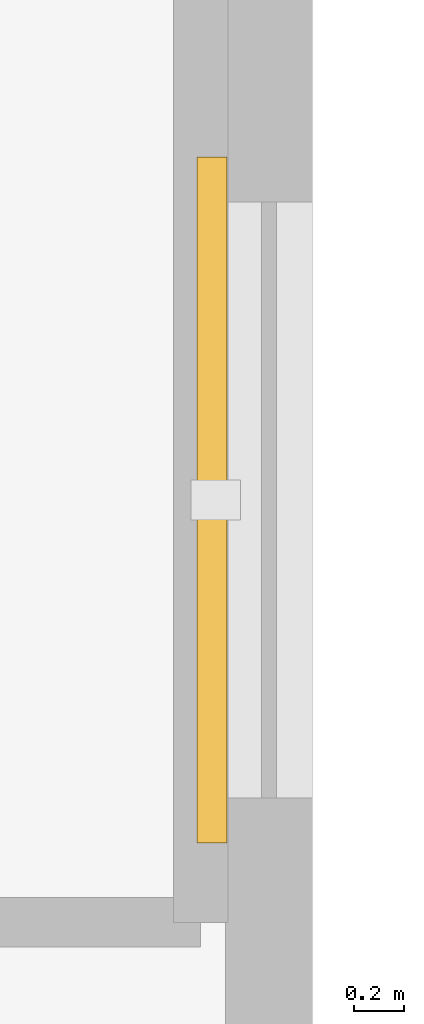
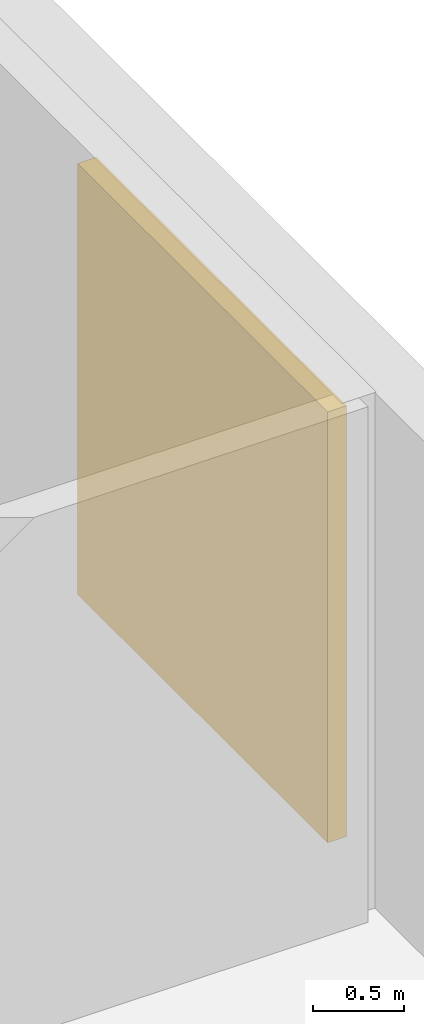
# One storey, part 16 of 16: 1 shading device.
"""IFC4 building model written with IfcOpenShell, lengths in metres."""

from ifc_helpers import new_model, si_unit, direction, frame, origin, origin_2d, place, context, subcontext, project, spatial, rectangle, extrude, material, layer, layer_set, type_object, element, save


model = new_model("IFC4")

# Units and contexts
model_context = context("Model", 3, precision=1e-05, world=origin(), true_north=direction((0.0, 1.0)))
body_context = subcontext(model_context, "Body", "Model", "MODEL_VIEW")
ifc_project = project(units=[si_unit("LENGTHUNIT", "METRE"), si_unit("AREAUNIT", "SQUARE_METRE"), si_unit("VOLUMEUNIT", "CUBIC_METRE"), si_unit("PLANEANGLEUNIT", "RADIAN"), si_unit("MASSUNIT", "GRAM", prefix="KILO")], contexts=[model_context])

# Site, building, storey
site_placement = place(None, origin())
site = spatial("IfcSite", under=ifc_project, at=site_placement, CompositionType="ELEMENT")
building_placement = place(site_placement, origin())
building = spatial("IfcBuilding", under=site, at=building_placement, Name="Koriwani Terraces Tower", CompositionType="ELEMENT")
storey_placement = place(building_placement, frame((0.0, 0.0, 267.5)))
storey = spatial("IfcBuildingStorey", under=building, at=storey_placement, Name="L66", CompositionType="ELEMENT", Elevation=267.5)

# Shading device
ifc_material = material(Name="Extruded Terracotta Clay", Category="masonry")
ifc_layer = layer(ifc_material, 0.1201171875, Name="Extruded Terracotta Clay")
ifc_layer_set = layer_set([ifc_layer], Name="Extruded Terracotta Clay")
shading_device_type = type_object("IfcShadingDeviceType", Name="TERRACOTTA_BAGUETTE_SCREEN_2800", PredefinedType="USERDEFINED", material=ifc_layer_set)
shading_device_placement = place(storey_placement, frame((33.195068359375, 63.0, 0.28515625), z_axis=(0.0, 0.0, 1.0), x_axis=(0.0, -1.0, 0.0)))
element("IfcShadingDevice", 1, at=shading_device_placement, inside=storey, type_object=shading_device_type, Name="L66 Extruded Terracotta Baguette Screen (NW_IN-11)", ObjectType="BAGUETTE", PredefinedType="USERDEFINED", context=body_context, shape_type="SweptSolid", body=[
    extrude(rectangle(XDim=2.760009765625, YDim=0.1201171875, at=origin_2d()), origin(), (0.0, 0.0, 1.0), 2.89990234375),
])

save(model, "model.ifc")
